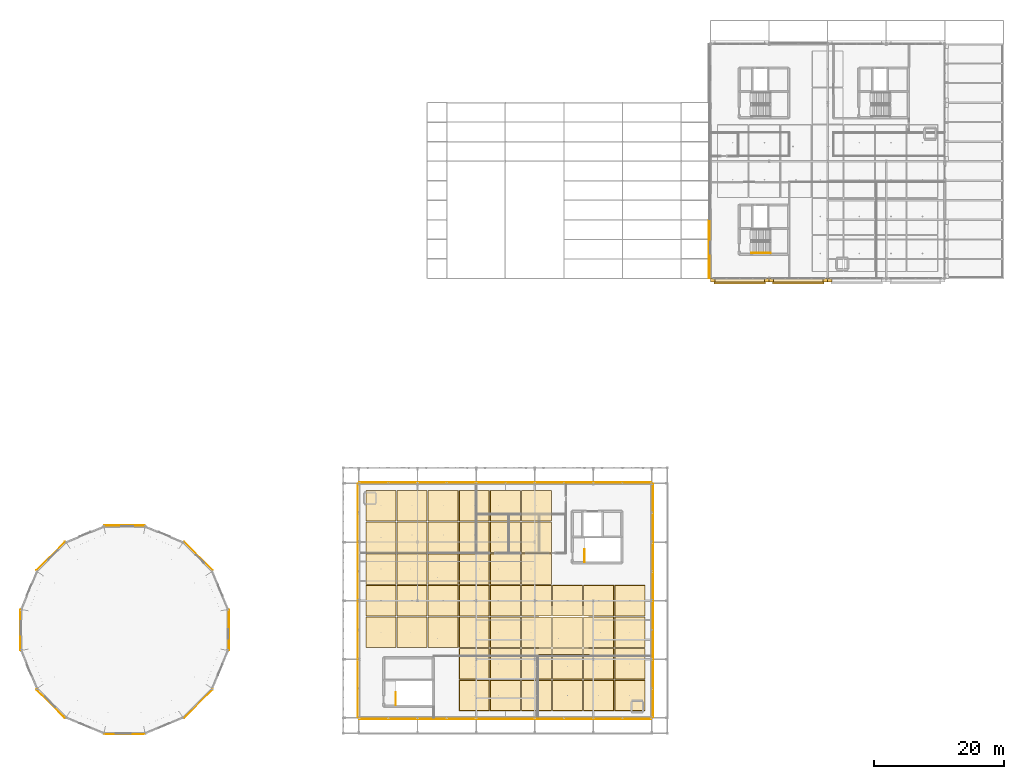
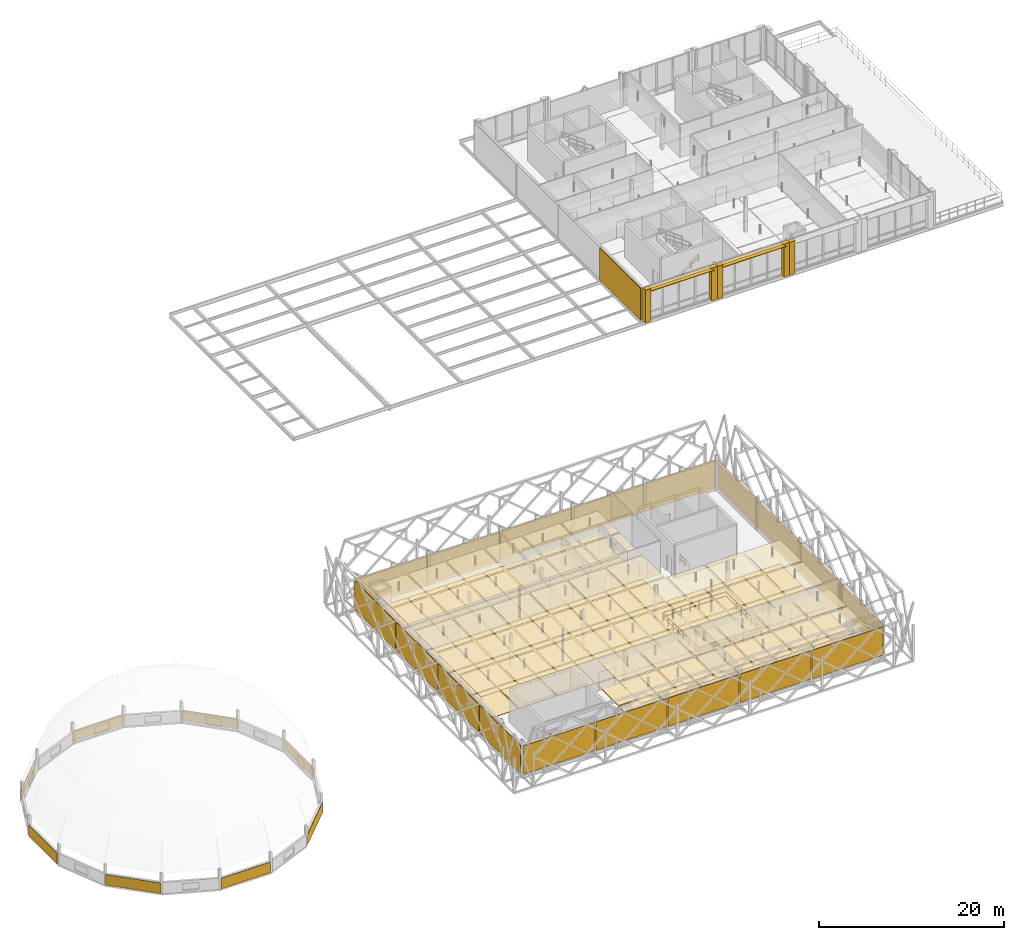
# One storey, part 64 of 66: 130 coverings, 4 railings, 2 shading devices.
"""IFC4 building model written with IfcOpenShell, lengths in metres."""

from ifc_helpers import new_model, si_unit, direction, frame, origin, origin_2d, place, context, subcontext, project, spatial, rectangle, circle, extrude, material, layer, layer_set, type_object, element, save


model = new_model("IFC4")

# Units and contexts
model_context = context("Model", 3, precision=1e-05, world=origin(), true_north=direction((0.0, 1.0)))
body_context = subcontext(model_context, "Body", "Model", "MODEL_VIEW")
ifc_project = project(units=[si_unit("LENGTHUNIT", "METRE"), si_unit("AREAUNIT", "SQUARE_METRE"), si_unit("VOLUMEUNIT", "CUBIC_METRE"), si_unit("PLANEANGLEUNIT", "RADIAN"), si_unit("MASSUNIT", "GRAM", prefix="KILO"), si_unit("THERMODYNAMICTEMPERATUREUNIT", "KELVIN"), si_unit("POWERUNIT", "WATT")], contexts=[model_context])

# Site, building, storey
site_placement = place(None, origin())
site = spatial("IfcSite", under=ifc_project, at=site_placement, CompositionType="ELEMENT")
building_placement = place(site_placement, origin())
building = spatial("IfcBuilding", under=site, at=building_placement, Name="Tallowbark Science Centre", CompositionType="ELEMENT")
storey_placement = place(building_placement, frame((0.0, 0.0, 18.89990234375)))
storey = spatial("IfcBuildingStorey", under=building, at=storey_placement, Name="L04", CompositionType="ELEMENT", Elevation=18.89990234375)

# Coverings
ifc_material_1 = material(Name="Perforated Spotted Gum Acoustic Baffle Ceiling", Category="wood")
ifc_layer_1 = layer(ifc_material_1, 0.02490234375)
ifc_layer_set_1 = layer_set([ifc_layer_1], Name="Perforated Spotted Gum Acoustic Baffle Ceiling")
covering_type_1 = type_object("IfcCoveringType", Name="CLG-TIM-25", PredefinedType="CEILING", material=ifc_layer_set_1)
for number, where, z_axis, x_axis, name in (
    (1, (61.888916015625, 17.642822265625, 3.187744140625), (0.0, 0.0, 1.0), (1.0, 0.0, 0.0), "Suspended Ceiling L04-1068"),
    (2, (61.888916015625, 22.5, 3.187744140625), (0.0, 0.0, 1.0), (1.0, 0.0, 0.0), "Suspended Ceiling L04-1069"),
    (3, (61.888916015625, 27.357177734375, 3.187744140625), (0.0, 0.0, 1.0), (1.0, 0.0, 0.0), "Suspended Ceiling L04-1070"),
    (4, (61.888916015625, 32.21435546875, 3.187744140625), (0.0, 0.0, 1.0), (1.0, 0.0, 0.0), "Suspended Ceiling L04-1071"),
    (5, (61.888916015625, 37.0712890625, 3.187744140625), (0.0, 0.0, 1.0), (1.0, 0.0, 0.0), "Suspended Ceiling L04-1072"),
    (6, (66.666748046875, 17.642822265625, 3.187744140625), (0.0, 0.0, 1.0), (1.0, 0.0, 0.0), "Suspended Ceiling L04-1073"),
    (7, (66.666748046875, 22.5, 3.187744140625), (0.0, 0.0, 1.0), (1.0, 0.0, 0.0), "Suspended Ceiling L04-1074"),
    (8, (66.666748046875, 27.357177734375, 3.187744140625), (0.0, 0.0, 1.0), (1.0, 0.0, 0.0), "Suspended Ceiling L04-1075"),
    (9, (66.666748046875, 32.21435546875, 3.187744140625), (0.0, 0.0, 1.0), (1.0, 0.0, 0.0), "Suspended Ceiling L04-1076"),
    (10, (66.666748046875, 37.0712890625, 3.187744140625), (0.0, 0.0, 1.0), (1.0, 0.0, 0.0), "Suspended Ceiling L04-1077"),
    (11, (71.4443359375, 17.642822265625, 3.187744140625), (0.0, 0.0, 1.0), (1.0, 0.0, 0.0), "Suspended Ceiling L04-1078"),
    (12, (71.4443359375, 22.5, 3.187744140625), (0.0, 0.0, 1.0), (1.0, 0.0, 0.0), "Suspended Ceiling L04-1079"),
    (13, (71.4443359375, 27.357177734375, 3.187744140625), (0.0, 0.0, 1.0), (1.0, 0.0, 0.0), "Suspended Ceiling L04-1080"),
    (14, (71.4443359375, 32.21435546875, 3.187744140625), (0.0, 0.0, 1.0), (1.0, 0.0, 0.0), "Suspended Ceiling L04-1081"),
    (15, (71.4443359375, 37.0712890625, 3.187744140625), (0.0, 0.0, 1.0), (1.0, 0.0, 0.0), "Suspended Ceiling L04-1082"),
    (16, (76.22216796875, 7.9287109375, 3.187744140625), (0.0, 0.0, 1.0), (1.0, 0.0, 0.0), "Suspended Ceiling L04-1083"),
    (17, (76.22216796875, 12.78564453125, 3.187744140625), (0.0, 0.0, 1.0), (1.0, 0.0, 0.0), "Suspended Ceiling L04-1084"),
    (18, (76.22216796875, 17.642822265625, 3.187744140625), (0.0, 0.0, 1.0), (1.0, 0.0, 0.0), "Suspended Ceiling L04-1085"),
    (19, (76.22216796875, 22.5, 3.187744140625), (0.0, 0.0, 1.0), (1.0, 0.0, 0.0), "Suspended Ceiling L04-1086"),
    (20, (76.22216796875, 27.357177734375, 3.187744140625), (0.0, 0.0, 1.0), (1.0, 0.0, 0.0), "Suspended Ceiling L04-1087"),
    (21, (76.22216796875, 32.21435546875, 3.187744140625), (0.0, 0.0, 1.0), (1.0, 0.0, 0.0), "Suspended Ceiling L04-1088"),
    (22, (76.22216796875, 37.0712890625, 3.187744140625), (0.0, 0.0, 1.0), (1.0, 0.0, 0.0), "Suspended Ceiling L04-1089"),
    (23, (81.0, 7.9287109375, 3.187744140625), (0.0, 0.0, 1.0), (1.0, 0.0, 0.0), "Suspended Ceiling L04-1090"),
    (24, (81.0, 12.78564453125, 3.187744140625), (0.0, 0.0, 1.0), (1.0, 0.0, 0.0), "Suspended Ceiling L04-1091"),
    (25, (81.0, 17.642822265625, 3.187744140625), (0.0, 0.0, 1.0), (1.0, 0.0, 0.0), "Suspended Ceiling L04-1092"),
    (26, (81.0, 22.5, 3.187744140625), (0.0, 0.0, 1.0), (1.0, 0.0, 0.0), "Suspended Ceiling L04-1093"),
    (27, (81.0, 27.357177734375, 3.187744140625), (0.0, 0.0, 1.0), (1.0, 0.0, 0.0), "Suspended Ceiling L04-1094"),
    (28, (81.0, 32.21435546875, 3.187744140625), (0.0, 0.0, 1.0), (1.0, 0.0, 0.0), "Suspended Ceiling L04-1095"),
    (29, (81.0, 37.0712890625, 3.187744140625), (0.0, 0.0, 1.0), (1.0, 0.0, 0.0), "Suspended Ceiling L04-1096"),
    (30, (85.77783203125, 7.9287109375, 3.187744140625), (0.0, 0.0, 1.0), (1.0, 0.0, 0.0), "Suspended Ceiling L04-1097"),
    (31, (85.77783203125, 12.78564453125, 3.187744140625), (0.0, 0.0, 1.0), (1.0, 0.0, 0.0), "Suspended Ceiling L04-1098"),
    (32, (85.77783203125, 17.642822265625, 3.187744140625), (0.0, 0.0, 1.0), (1.0, 0.0, 0.0), "Suspended Ceiling L04-1099"),
    (33, (85.77783203125, 22.5, 3.187744140625), (0.0, 0.0, 1.0), (1.0, 0.0, 0.0), "Suspended Ceiling L04-1100"),
    (34, (85.77783203125, 27.357177734375, 3.187744140625), (0.0, 0.0, 1.0), (1.0, 0.0, 0.0), "Suspended Ceiling L04-1101"),
    (35, (85.77783203125, 32.21435546875, 3.187744140625), (0.0, 0.0, 1.0), (1.0, 0.0, 0.0), "Suspended Ceiling L04-1102"),
    (36, (85.77783203125, 37.0712890625, 3.187744140625), (0.0, 0.0, 1.0), (1.0, 0.0, 0.0), "Suspended Ceiling L04-1103"),
    (37, (90.5556640625, 7.9287109375, 3.187744140625), (0.0, 0.0, 1.0), (1.0, 0.0, 0.0), "Suspended Ceiling L04-1104"),
    (38, (90.5556640625, 12.78564453125, 3.187744140625), (0.0, 0.0, 1.0), (1.0, 0.0, 0.0), "Suspended Ceiling L04-1105"),
    (39, (90.5556640625, 17.642822265625, 3.187744140625), (0.0, 0.0, 1.0), (1.0, 0.0, 0.0), "Suspended Ceiling L04-1106"),
    (40, (90.5556640625, 22.5, 3.187744140625), (0.0, 0.0, 1.0), (1.0, 0.0, 0.0), "Suspended Ceiling L04-1107"),
    (41, (95.333251953125, 7.9287109375, 3.187744140625), (0.0, 0.0, 1.0), (1.0, 0.0, 0.0), "Suspended Ceiling L04-1108"),
    (42, (95.333251953125, 12.78564453125, 3.187744140625), (0.0, 0.0, 1.0), (1.0, 0.0, 0.0), "Suspended Ceiling L04-1109"),
    (43, (95.333251953125, 17.642822265625, 3.187744140625), (0.0, 0.0, 1.0), (1.0, 0.0, 0.0), "Suspended Ceiling L04-1110"),
    (44, (95.333251953125, 22.5, 3.187744140625), (0.0, 0.0, 1.0), (1.0, 0.0, 0.0), "Suspended Ceiling L04-1111"),
    (45, (100.111083984375, 7.9287109375, 3.187744140625), (0.0, 0.0, 1.0), (1.0, 0.0, 0.0), "Suspended Ceiling L04-1112"),
    (46, (100.111083984375, 12.78564453125, 3.187744140625), (0.0, 0.0, 1.0), (1.0, 0.0, 0.0), "Suspended Ceiling L04-1113"),
    (47, (100.111083984375, 17.642822265625, 3.187744140625), (0.0, 0.0, 1.0), (1.0, 0.0, 0.0), "Suspended Ceiling L04-1114"),
    (48, (100.111083984375, 22.5, 3.187744140625), (0.0, 0.0, 1.0), (1.0, 0.0, 0.0), "Suspended Ceiling L04-1115"),
):
    element("IfcCovering", number, at=place(storey_placement, frame(where, z_axis=z_axis, x_axis=x_axis)), inside=storey, type_object=covering_type_1, Name=name, PredefinedType="CEILING", context=body_context, shape_type="SweptSolid", body=[
        extrude(rectangle(XDim=4.597900390625, YDim=4.677001953125, at=origin_2d()), origin(), (0.0, 0.0, 1.0), 0.02490234375),
    ])
ifc_material_2 = material(Name="White Architectural Precast Concrete Grade N40 (40 MPa)", Category="concrete")
ifc_layer_2 = layer(ifc_material_2, 0.1201171875)
ifc_layer_set_2 = layer_set([ifc_layer_2], Name="White Architectural Precast Concrete Grade N40 (40 MPa)")
covering_type_2 = type_object("IfcCoveringType", Name="COV-PRC-CLAD", PredefinedType="CLADDING", material=ifc_layer_set_2)
for number, where, z_axis, x_axis, name in (
    (49, (112.85498046875, 71.719970703125, 0.0), (0.0, 0.0, 1.0), (1.0, 0.0, 0.0), "Postmodern Deep Precast Pier CW-L04-190-1"),
    (50, (121.14501953125, 71.719970703125, 0.0), (0.0, 0.0, 1.0), (1.0, 0.0, 0.0), "Postmodern Deep Precast Pier CW-L04-190-2"),
    (51, (121.85498046875, 71.719970703125, 0.0), (0.0, 0.0, 1.0), (1.0, 0.0, 0.0), "Postmodern Deep Precast Pier CW-L04-192-1"),
    (52, (130.14501953125, 71.719970703125, 0.0), (0.0, 0.0, 1.0), (1.0, 0.0, 0.0), "Postmodern Deep Precast Pier CW-L04-192-2"),
    (53, (130.85498046875, 71.719970703125, 0.0), (0.0, 0.0, 1.0), (1.0, 0.0, 0.0), "Postmodern Deep Precast Pier CW-L04-193-1"),
):
    element("IfcCovering", number, at=place(storey_placement, frame(where, z_axis=z_axis, x_axis=x_axis)), inside=storey, type_object=covering_type_2, Name=name, PredefinedType="CLADDING", context=body_context, shape_type="SweptSolid", body=[
        extrude(rectangle(XDim=0.7099609375, YDim=0.56005859375, at=origin_2d()), origin(), (0.0, 0.0, 1.0), 4.320068359375),
    ])
covering_placement = place(storey_placement, frame((112.31494140625, 76.5, 0.05029296875), z_axis=(0.0, 0.0, 1.0), x_axis=(0.0, -1.0, 0.0)))
element("IfcCovering", 54, at=covering_placement, inside=storey, type_object=covering_type_2, Name="Architectural Rainscreen OBS4-W-72", PredefinedType="CLADDING", context=body_context, shape_type="SweptSolid", body=[
    extrude(rectangle(XDim=8.8798828125, YDim=0.1201171875, at=origin_2d()), origin(), (0.0, 0.0, 1.0), 4.219970703125),
])
ifc_material_3 = material(Name="Vitrified Ochre Terracotta Architectural Rainscreen", Category="masonry")
ifc_layer_3 = layer(ifc_material_3, 0.0380859375)
ifc_layer_set_3 = layer_set([ifc_layer_3], Name="Vitrified Ochre Terracotta Architectural Rainscreen")
covering_type_3 = type_object("IfcCoveringType", Name="COV-TER-CLAD", PredefinedType="CLADDING", material=ifc_layer_set_3)
for number, where, z_axis, x_axis, name in (
    (55, (33.842041015625, 29.342041015625, 0.050048828125), (0.0, 0.0, 1.0), (-0.707106781187, 0.707106781187, 0.0), "Architectural Rainscreen DRM-UP-L04-01"),
    (56, (22.5, 34.040283203125, 0.050048828125), (0.0, 0.0, 1.0), (-1.0, 0.0, 0.0), "Architectural Rainscreen DRM-UP-L04-03"),
    (57, (11.157958984375, 29.342041015625, 0.050048828125), (0.0, 0.0, 1.0), (-0.707106781187, -0.707106781187, 0.0), "Architectural Rainscreen DRM-UP-L04-05"),
    (58, (6.459716796875, 18.0, 0.050048828125), (0.0, 0.0, 1.0), (0.0, -1.0, 0.0), "Architectural Rainscreen DRM-UP-L04-07"),
    (59, (11.157958984375, 6.657958984375, 0.050048828125), (0.0, 0.0, 1.0), (0.707106781187, -0.707106781187, 0.0), "Architectural Rainscreen DRM-UP-L04-09"),
    (60, (22.5, 1.959716796875, 0.050048828125), (0.0, 0.0, 1.0), (1.0, 0.0, 0.0), "Architectural Rainscreen DRM-UP-L04-11"),
    (61, (33.842041015625, 6.657958984375, 0.050048828125), (0.0, 0.0, 1.0), (0.707106781187, 0.707106781187, 0.0), "Architectural Rainscreen DRM-UP-L04-13"),
    (62, (38.540283203125, 18.0, 0.050048828125), (0.0, 0.0, 1.0), (0.0, 1.0, 0.0), "Architectural Rainscreen DRM-UP-L04-15"),
):
    element("IfcCovering", number, at=place(storey_placement, frame(where, z_axis=z_axis, x_axis=x_axis)), inside=storey, type_object=covering_type_3, Name=name, PredefinedType="CLADDING", context=body_context, shape_type="SweptSolid", body=[
        extrude(rectangle(XDim=6.200927734375, YDim=0.0380859375, at=origin_2d()), origin(), (0.0, 0.0, 1.0), 1.3798828125),
    ])
for number, where, z_axis, x_axis, name in (
    (63, (117.0, 71.739990234375, 3.97021484375), (0.0, 0.0, 1.0), (1.0, 0.0, 0.0), "Postmodern Terracotta Cornice Band CW-L04-190"),
    (64, (126.0, 71.739990234375, 3.97021484375), (0.0, 0.0, 1.0), (1.0, 0.0, 0.0), "Postmodern Terracotta Cornice Band CW-L04-192"),
):
    element("IfcCovering", number, at=place(storey_placement, frame(where, z_axis=z_axis, x_axis=x_axis)), inside=storey, type_object=covering_type_3, Name=name, PredefinedType="CLADDING", context=body_context, shape_type="SweptSolid", body=[
        extrude(rectangle(XDim=8.5, YDim=0.52001953125, at=origin_2d()), origin(), (0.0, 0.0, 1.0), 0.340087890625),
    ])
ifc_material_4 = material(Name="Spotted Gum Hardwood Architectural Rainscreen", Category="wood")
ifc_layer_4 = layer(ifc_material_4, 0.0419921875)
ifc_layer_set_4 = layer_set([ifc_layer_4], Name="Spotted Gum Hardwood Architectural Rainscreen")
covering_type_4 = type_object("IfcCoveringType", Name="COV-TIM-CLAD", PredefinedType="CLADDING", material=ifc_layer_set_4)
for number, where, z_axis, x_axis, name in (
    (65, (63.0, 4.33154296875, 0.050048828125), (0.0, 0.0, 1.0), (1.0, 0.0, 0.0), "Architectural Rainscreen CUB-S-L04-0"),
    (66, (63.0, 40.66845703125, 0.050048828125), (0.0, 0.0, 1.0), (-1.0, 0.0, 0.0), "Architectural Rainscreen CUB-N-L04-0"),
    (67, (72.0, 4.33154296875, 0.050048828125), (0.0, 0.0, 1.0), (1.0, 0.0, 0.0), "Architectural Rainscreen CUB-S-L04-1"),
    (68, (72.0, 40.66845703125, 0.050048828125), (0.0, 0.0, 1.0), (-1.0, 0.0, 0.0), "Architectural Rainscreen CUB-N-L04-1"),
    (69, (81.0, 4.33154296875, 0.050048828125), (0.0, 0.0, 1.0), (1.0, 0.0, 0.0), "Architectural Rainscreen CUB-S-L04-2"),
    (70, (81.0, 40.66845703125, 0.050048828125), (0.0, 0.0, 1.0), (-1.0, 0.0, 0.0), "Architectural Rainscreen CUB-N-L04-2"),
    (71, (90.0, 4.33154296875, 0.050048828125), (0.0, 0.0, 1.0), (1.0, 0.0, 0.0), "Architectural Rainscreen CUB-S-L04-3"),
    (72, (90.0, 40.66845703125, 0.050048828125), (0.0, 0.0, 1.0), (-1.0, 0.0, 0.0), "Architectural Rainscreen CUB-N-L04-3"),
    (73, (99.0, 4.33154296875, 0.050048828125), (0.0, 0.0, 1.0), (1.0, 0.0, 0.0), "Architectural Rainscreen CUB-S-L04-4"),
    (74, (99.0, 40.66845703125, 0.050048828125), (0.0, 0.0, 1.0), (-1.0, 0.0, 0.0), "Architectural Rainscreen CUB-N-L04-4"),
    (75, (58.33154296875, 9.0, 0.050048828125), (0.0, 0.0, 1.0), (0.0, -1.0, 0.0), "Architectural Rainscreen CUB-W-L04-0"),
    (76, (103.66845703125, 9.0, 0.050048828125), (0.0, 0.0, 1.0), (0.0, 1.0, 0.0), "Architectural Rainscreen CUB-E-L04-0"),
    (77, (58.33154296875, 18.0, 0.050048828125), (0.0, 0.0, 1.0), (0.0, -1.0, 0.0), "Architectural Rainscreen CUB-W-L04-1"),
    (78, (103.66845703125, 18.0, 0.050048828125), (0.0, 0.0, 1.0), (0.0, 1.0, 0.0), "Architectural Rainscreen CUB-E-L04-1"),
    (79, (58.33154296875, 27.0, 0.050048828125), (0.0, 0.0, 1.0), (0.0, -1.0, 0.0), "Architectural Rainscreen CUB-W-L04-2"),
    (80, (103.66845703125, 27.0, 0.050048828125), (0.0, 0.0, 1.0), (0.0, 1.0, 0.0), "Architectural Rainscreen CUB-E-L04-2"),
    (81, (58.33154296875, 36.0, 0.050048828125), (0.0, 0.0, 1.0), (0.0, -1.0, 0.0), "Architectural Rainscreen CUB-W-L04-3"),
    (82, (103.66845703125, 36.0, 0.050048828125), (0.0, 0.0, 1.0), (0.0, 1.0, 0.0), "Architectural Rainscreen CUB-E-L04-3"),
):
    element("IfcCovering", number, at=place(storey_placement, frame(where, z_axis=z_axis, x_axis=x_axis)), inside=storey, type_object=covering_type_4, Name=name, PredefinedType="CLADDING", context=body_context, shape_type="SweptSolid", body=[
        extrude(rectangle(XDim=8.8798828125, YDim=0.0419921875, at=origin_2d()), origin(), (0.0, 0.0, 1.0), 3.74609375),
    ])
ifc_material_5 = material(Name="Engineered Blackbutt Gallery Timber Flooring", Category="wood")
ifc_layer_5 = layer(ifc_material_5, 0.02197265625)
ifc_layer_set_5 = layer_set([ifc_layer_5], Name="Engineered Blackbutt Gallery Timber Flooring")
covering_type_5 = type_object("IfcCoveringType", Name="FLR-TIM-22", PredefinedType="FLOORING", material=ifc_layer_set_5)
for number, where, z_axis, x_axis, name in (
    (83, (61.888916015625, 17.642822265625, 0.0), (0.0, 0.0, 1.0), (1.0, 0.0, 0.0), "Floor Finish L04-1068"),
    (84, (61.888916015625, 22.5, 0.0), (0.0, 0.0, 1.0), (1.0, 0.0, 0.0), "Floor Finish L04-1069"),
    (85, (61.888916015625, 27.357177734375, 0.0), (0.0, 0.0, 1.0), (1.0, 0.0, 0.0), "Floor Finish L04-1070"),
    (86, (61.888916015625, 32.21435546875, 0.0), (0.0, 0.0, 1.0), (1.0, 0.0, 0.0), "Floor Finish L04-1071"),
    (87, (61.888916015625, 37.0712890625, 0.0), (0.0, 0.0, 1.0), (1.0, 0.0, 0.0), "Floor Finish L04-1072"),
    (88, (66.666748046875, 17.642822265625, 0.0), (0.0, 0.0, 1.0), (1.0, 0.0, 0.0), "Floor Finish L04-1073"),
    (89, (66.666748046875, 22.5, 0.0), (0.0, 0.0, 1.0), (1.0, 0.0, 0.0), "Floor Finish L04-1074"),
    (90, (66.666748046875, 27.357177734375, 0.0), (0.0, 0.0, 1.0), (1.0, 0.0, 0.0), "Floor Finish L04-1075"),
    (91, (66.666748046875, 32.21435546875, 0.0), (0.0, 0.0, 1.0), (1.0, 0.0, 0.0), "Floor Finish L04-1076"),
    (92, (66.666748046875, 37.0712890625, 0.0), (0.0, 0.0, 1.0), (1.0, 0.0, 0.0), "Floor Finish L04-1077"),
    (93, (71.4443359375, 17.642822265625, 0.0), (0.0, 0.0, 1.0), (1.0, 0.0, 0.0), "Floor Finish L04-1078"),
    (94, (71.4443359375, 22.5, 0.0), (0.0, 0.0, 1.0), (1.0, 0.0, 0.0), "Floor Finish L04-1079"),
    (95, (71.4443359375, 27.357177734375, 0.0), (0.0, 0.0, 1.0), (1.0, 0.0, 0.0), "Floor Finish L04-1080"),
    (96, (71.4443359375, 32.21435546875, 0.0), (0.0, 0.0, 1.0), (1.0, 0.0, 0.0), "Floor Finish L04-1081"),
    (97, (71.4443359375, 37.0712890625, 0.0), (0.0, 0.0, 1.0), (1.0, 0.0, 0.0), "Floor Finish L04-1082"),
    (98, (76.22216796875, 7.9287109375, 0.0), (0.0, 0.0, 1.0), (1.0, 0.0, 0.0), "Floor Finish L04-1083"),
    (99, (76.22216796875, 12.78564453125, 0.0), (0.0, 0.0, 1.0), (1.0, 0.0, 0.0), "Floor Finish L04-1084"),
    (100, (76.22216796875, 17.642822265625, 0.0), (0.0, 0.0, 1.0), (1.0, 0.0, 0.0), "Floor Finish L04-1085"),
    (101, (76.22216796875, 22.5, 0.0), (0.0, 0.0, 1.0), (1.0, 0.0, 0.0), "Floor Finish L04-1086"),
    (102, (76.22216796875, 27.357177734375, 0.0), (0.0, 0.0, 1.0), (1.0, 0.0, 0.0), "Floor Finish L04-1087"),
    (103, (76.22216796875, 32.21435546875, 0.0), (0.0, 0.0, 1.0), (1.0, 0.0, 0.0), "Floor Finish L04-1088"),
    (104, (76.22216796875, 37.0712890625, 0.0), (0.0, 0.0, 1.0), (1.0, 0.0, 0.0), "Floor Finish L04-1089"),
    (105, (81.0, 7.9287109375, 0.0), (0.0, 0.0, 1.0), (1.0, 0.0, 0.0), "Floor Finish L04-1090"),
    (106, (81.0, 12.78564453125, 0.0), (0.0, 0.0, 1.0), (1.0, 0.0, 0.0), "Floor Finish L04-1091"),
    (107, (81.0, 17.642822265625, 0.0), (0.0, 0.0, 1.0), (1.0, 0.0, 0.0), "Floor Finish L04-1092"),
    (108, (81.0, 22.5, 0.0), (0.0, 0.0, 1.0), (1.0, 0.0, 0.0), "Floor Finish L04-1093"),
    (109, (81.0, 27.357177734375, 0.0), (0.0, 0.0, 1.0), (1.0, 0.0, 0.0), "Floor Finish L04-1094"),
    (110, (81.0, 32.21435546875, 0.0), (0.0, 0.0, 1.0), (1.0, 0.0, 0.0), "Floor Finish L04-1095"),
    (111, (81.0, 37.0712890625, 0.0), (0.0, 0.0, 1.0), (1.0, 0.0, 0.0), "Floor Finish L04-1096"),
    (112, (85.77783203125, 7.9287109375, 0.0), (0.0, 0.0, 1.0), (1.0, 0.0, 0.0), "Floor Finish L04-1097"),
    (113, (85.77783203125, 12.78564453125, 0.0), (0.0, 0.0, 1.0), (1.0, 0.0, 0.0), "Floor Finish L04-1098"),
    (114, (85.77783203125, 17.642822265625, 0.0), (0.0, 0.0, 1.0), (1.0, 0.0, 0.0), "Floor Finish L04-1099"),
    (115, (85.77783203125, 22.5, 0.0), (0.0, 0.0, 1.0), (1.0, 0.0, 0.0), "Floor Finish L04-1100"),
    (116, (85.77783203125, 27.357177734375, 0.0), (0.0, 0.0, 1.0), (1.0, 0.0, 0.0), "Floor Finish L04-1101"),
    (117, (85.77783203125, 32.21435546875, 0.0), (0.0, 0.0, 1.0), (1.0, 0.0, 0.0), "Floor Finish L04-1102"),
    (118, (85.77783203125, 37.0712890625, 0.0), (0.0, 0.0, 1.0), (1.0, 0.0, 0.0), "Floor Finish L04-1103"),
    (119, (90.5556640625, 7.9287109375, 0.0), (0.0, 0.0, 1.0), (1.0, 0.0, 0.0), "Floor Finish L04-1104"),
    (120, (90.5556640625, 12.78564453125, 0.0), (0.0, 0.0, 1.0), (1.0, 0.0, 0.0), "Floor Finish L04-1105"),
    (121, (90.5556640625, 17.642822265625, 0.0), (0.0, 0.0, 1.0), (1.0, 0.0, 0.0), "Floor Finish L04-1106"),
    (122, (90.5556640625, 22.5, 0.0), (0.0, 0.0, 1.0), (1.0, 0.0, 0.0), "Floor Finish L04-1107"),
    (123, (95.333251953125, 7.9287109375, 0.0), (0.0, 0.0, 1.0), (1.0, 0.0, 0.0), "Floor Finish L04-1108"),
    (124, (95.333251953125, 12.78564453125, 0.0), (0.0, 0.0, 1.0), (1.0, 0.0, 0.0), "Floor Finish L04-1109"),
    (125, (95.333251953125, 17.642822265625, 0.0), (0.0, 0.0, 1.0), (1.0, 0.0, 0.0), "Floor Finish L04-1110"),
    (126, (95.333251953125, 22.5, 0.0), (0.0, 0.0, 1.0), (1.0, 0.0, 0.0), "Floor Finish L04-1111"),
    (127, (100.111083984375, 7.9287109375, 0.0), (0.0, 0.0, 1.0), (1.0, 0.0, 0.0), "Floor Finish L04-1112"),
    (128, (100.111083984375, 12.78564453125, 0.0), (0.0, 0.0, 1.0), (1.0, 0.0, 0.0), "Floor Finish L04-1113"),
    (129, (100.111083984375, 17.642822265625, 0.0), (0.0, 0.0, 1.0), (1.0, 0.0, 0.0), "Floor Finish L04-1114"),
    (130, (100.111083984375, 22.5, 0.0), (0.0, 0.0, 1.0), (1.0, 0.0, 0.0), "Floor Finish L04-1115"),
):
    element("IfcCovering", number, at=place(storey_placement, frame(where, z_axis=z_axis, x_axis=x_axis)), inside=storey, type_object=covering_type_5, Name=name, PredefinedType="FLOORING", context=body_context, shape_type="SweptSolid", body=[
        extrude(rectangle(XDim=4.65771484375, YDim=4.737060546875, at=origin_2d()), origin(), (0.0, 0.0, 1.0), 0.02197265625),
    ])

# Railings
ifc_material_6 = material(Name="Galvanised Painted Steel and Laminated Glass Balustrade", Category="steel")
ifc_layer_6 = layer(ifc_material_6, 0.070068359375)
ifc_layer_set_6 = layer_set([ifc_layer_6], Name="Galvanised Painted Steel and Laminated Glass Balustrade")
railing_type_1 = type_object("IfcRailingType", Name="RLG-BAL-1150", PredefinedType="BALUSTRADE", material=ifc_layer_set_6)
railing_1_placement = place(storey_placement, frame((86.080078125, 14.179931640625, 0.0)))
element("IfcRailing", 131, at=railing_1_placement, inside=storey, type_object=railing_type_1, Name="Guardrail GD-ATR-L04", PredefinedType="BALUSTRADE", context=body_context, shape_type="SweptSolid", body=[
    extrude(circle(Radius=0.02392578125, at=origin_2d()), frame((0.0, 0.0, 1.1259765625), z_axis=(1.0, 0.0, 0.0), x_axis=(0.0, 1.0, 0.0)), (0.0, 0.0, 1.0), 7.83984375),
    extrude(circle(Radius=0.02392578125, at=origin_2d()), frame((0.0, 0.0, 0.574951171875), z_axis=(1.0, 0.0, 0.0), x_axis=(0.0, 1.0, 0.0)), (0.0, 0.0, 1.0), 7.83984375),
    extrude(circle(Radius=0.02392578125, at=origin_2d()), frame((7.83984375, 0.0, 1.1259765625), z_axis=(0.0, 1.0, 0.0), x_axis=(-1.0, 0.0, 0.0)), (0.0, 0.0, 1.0), 7.64013671875),
    extrude(circle(Radius=0.02392578125, at=origin_2d()), frame((7.83984375, 0.0, 0.574951171875), z_axis=(0.0, 1.0, 0.0), x_axis=(-1.0, 0.0, 0.0)), (0.0, 0.0, 1.0), 7.64013671875),
    extrude(circle(Radius=0.02392578125, at=origin_2d()), frame((7.83984375, 7.64013671875, 1.1259765625), z_axis=(-1.0, 0.0, 0.0), x_axis=(0.0, -1.0, 0.0)), (0.0, 0.0, 1.0), 7.83984375),
    extrude(circle(Radius=0.02392578125, at=origin_2d()), frame((7.83984375, 7.64013671875, 0.574951171875), z_axis=(-1.0, 0.0, 0.0), x_axis=(0.0, -1.0, 0.0)), (0.0, 0.0, 1.0), 7.83984375),
    extrude(circle(Radius=0.02392578125, at=origin_2d()), frame((0.0, 7.64013671875, 1.1259765625), z_axis=(0.0, -1.0, 0.0), x_axis=(1.0, 0.0, 0.0)), (0.0, 0.0, 1.0), 7.64013671875),
    extrude(circle(Radius=0.02392578125, at=origin_2d()), frame((0.0, 7.64013671875, 0.574951171875), z_axis=(0.0, -1.0, 0.0), x_axis=(1.0, 0.0, 0.0)), (0.0, 0.0, 1.0), 7.64013671875),
    extrude(circle(Radius=0.02099609375, at=origin_2d()), origin(), (0.0, 0.0, 1.0), 1.101806640625),
    extrude(circle(Radius=0.02099609375, at=origin_2d()), frame((1.119873046875, 0.0, 0.0)), (0.0, 0.0, 1.0), 1.101806640625),
    extrude(circle(Radius=0.02099609375, at=origin_2d()), frame((2.239990234375, 0.0, 0.0)), (0.0, 0.0, 1.0), 1.101806640625),
    extrude(circle(Radius=0.02099609375, at=origin_2d()), frame((3.35986328125, 0.0, 0.0)), (0.0, 0.0, 1.0), 1.101806640625),
    extrude(circle(Radius=0.02099609375, at=origin_2d()), frame((4.47998046875, 0.0, 0.0)), (0.0, 0.0, 1.0), 1.101806640625),
    extrude(circle(Radius=0.02099609375, at=origin_2d()), frame((5.599853515625, 0.0, 0.0)), (0.0, 0.0, 1.0), 1.101806640625),
    extrude(circle(Radius=0.02099609375, at=origin_2d()), frame((6.719970703125, 0.0, 0.0)), (0.0, 0.0, 1.0), 1.101806640625),
    extrude(circle(Radius=0.02099609375, at=origin_2d()), frame((7.83984375, 0.0, 0.0)), (0.0, 0.0, 1.0), 1.101806640625),
    extrude(circle(Radius=0.02099609375, at=origin_2d()), frame((7.83984375, 1.091552734375, 0.0)), (0.0, 0.0, 1.0), 1.101806640625),
    extrude(circle(Radius=0.02099609375, at=origin_2d()), frame((7.83984375, 2.182861328125, 0.0)), (0.0, 0.0, 1.0), 1.101806640625),
    extrude(circle(Radius=0.02099609375, at=origin_2d()), frame((7.83984375, 3.2744140625, 0.0)), (0.0, 0.0, 1.0), 1.101806640625),
    extrude(circle(Radius=0.02099609375, at=origin_2d()), frame((7.83984375, 4.36572265625, 0.0)), (0.0, 0.0, 1.0), 1.101806640625),
    extrude(circle(Radius=0.02099609375, at=origin_2d()), frame((7.83984375, 5.457275390625, 0.0)), (0.0, 0.0, 1.0), 1.101806640625),
    extrude(circle(Radius=0.02099609375, at=origin_2d()), frame((7.83984375, 6.548583984375, 0.0)), (0.0, 0.0, 1.0), 1.101806640625),
    extrude(circle(Radius=0.02099609375, at=origin_2d()), frame((7.83984375, 7.64013671875, 0.0)), (0.0, 0.0, 1.0), 1.101806640625),
    extrude(circle(Radius=0.02099609375, at=origin_2d()), frame((6.719970703125, 7.64013671875, 0.0)), (0.0, 0.0, 1.0), 1.101806640625),
    extrude(circle(Radius=0.02099609375, at=origin_2d()), frame((5.599853515625, 7.64013671875, 0.0)), (0.0, 0.0, 1.0), 1.101806640625),
    extrude(circle(Radius=0.02099609375, at=origin_2d()), frame((4.47998046875, 7.64013671875, 0.0)), (0.0, 0.0, 1.0), 1.101806640625),
    extrude(circle(Radius=0.02099609375, at=origin_2d()), frame((3.35986328125, 7.64013671875, 0.0)), (0.0, 0.0, 1.0), 1.101806640625),
    extrude(circle(Radius=0.02099609375, at=origin_2d()), frame((2.239990234375, 7.64013671875, 0.0)), (0.0, 0.0, 1.0), 1.101806640625),
    extrude(circle(Radius=0.02099609375, at=origin_2d()), frame((1.119873046875, 7.64013671875, 0.0)), (0.0, 0.0, 1.0), 1.101806640625),
    extrude(circle(Radius=0.02099609375, at=origin_2d()), frame((0.0, 7.64013671875, 0.0)), (0.0, 0.0, 1.0), 1.101806640625),
    extrude(circle(Radius=0.02099609375, at=origin_2d()), frame((0.0, 6.548583984375, 0.0)), (0.0, 0.0, 1.0), 1.101806640625),
    extrude(circle(Radius=0.02099609375, at=origin_2d()), frame((0.0, 5.457275390625, 0.0)), (0.0, 0.0, 1.0), 1.101806640625),
    extrude(circle(Radius=0.02099609375, at=origin_2d()), frame((0.0, 4.36572265625, 0.0)), (0.0, 0.0, 1.0), 1.101806640625),
    extrude(circle(Radius=0.02099609375, at=origin_2d()), frame((0.0, 3.2744140625, 0.0)), (0.0, 0.0, 1.0), 1.101806640625),
    extrude(circle(Radius=0.02099609375, at=origin_2d()), frame((0.0, 2.182861328125, 0.0)), (0.0, 0.0, 1.0), 1.101806640625),
    extrude(circle(Radius=0.02099609375, at=origin_2d()), frame((0.0, 1.091552734375, 0.0)), (0.0, 0.0, 1.0), 1.101806640625),
])
for number, where, name in (
    (132, (93.159912109375, 28.449951171875, 0.0), "L04 ST-03 top well guard 1"),
    (133, (64.159912109375, 6.449951171875, 0.0), "L04 ST-07 top well guard 1"),
):
    element("IfcRailing", number, at=place(storey_placement, frame(where)), inside=storey, type_object=railing_type_1, Name=name, PredefinedType="BALUSTRADE", context=body_context, shape_type="SweptSolid", body=[
        extrude(circle(Radius=0.02392578125, at=origin_2d()), frame((0.0, 0.0, 1.076171875), z_axis=(0.0, 1.0, 0.0), x_axis=(-1.0, 0.0, 0.0)), (0.0, 0.0, 1.0), 1.9599609375),
        extrude(circle(Radius=0.02392578125, at=origin_2d()), frame((0.0, 0.0, 0.550048828125), z_axis=(0.0, 1.0, 0.0), x_axis=(-1.0, 0.0, 0.0)), (0.0, 0.0, 1.0), 1.9599609375),
        extrude(circle(Radius=0.02099609375, at=origin_2d()), origin(), (0.0, 0.0, 1.0), 1.052001953125),
        extrude(circle(Radius=0.02099609375, at=origin_2d()), frame((0.0, 0.97998046875, 0.0)), (0.0, 0.0, 1.0), 1.052001953125),
        extrude(circle(Radius=0.02099609375, at=origin_2d()), frame((0.0, 1.9599609375, 0.0)), (0.0, 0.0, 1.0), 1.052001953125),
    ])
ifc_material_7 = material(Name="Brushed Grade 316 Stainless Steel Handrail", Category="steel")
ifc_layer_7 = layer(ifc_material_7, 0.050048828125)
ifc_layer_set_7 = layer_set([ifc_layer_7], Name="Brushed Grade 316 Stainless Steel Handrail")
railing_type_2 = type_object("IfcRailingType", Name="RLG-HDR-950", PredefinedType="HANDRAIL", material=ifc_layer_set_7)
railing_2_placement = place(storey_placement, frame((118.81005859375, 75.89990234375, 0.1875)))
element("IfcRailing", 134, at=railing_2_placement, inside=storey, type_object=railing_type_2, Name="L04 ST-02 stair handrail 1", PredefinedType="HANDRAIL", context=body_context, shape_type="SweptSolid", body=[
    extrude(circle(Radius=0.02392578125, at=origin_2d()), frame((0.0, 0.0, 0.8759765625), z_axis=(0.816330724661, 0.0, 0.577584753931), x_axis=(0.0, 1.0, 0.0)), (0.0, 0.0, 1.0), 3.57080078125),
    extrude(circle(Radius=0.02392578125, at=origin_2d()), frame((0.0, 0.0, 0.449951171875), z_axis=(0.816330724661, 0.0, 0.577584753931), x_axis=(0.0, 1.0, 0.0)), (0.0, 0.0, 1.0), 3.57080078125),
    extrude(circle(Radius=0.02099609375, at=origin_2d()), origin(), (0.0, 0.0, 1.0), 0.851806640625),
    extrude(circle(Radius=0.02099609375, at=origin_2d()), frame((0.9716796875, 0.0, 0.6875)), (0.0, 0.0, 1.0), 0.851806640625),
    extrude(circle(Radius=0.02099609375, at=origin_2d()), frame((1.943359375, 0.0, 1.375)), (0.0, 0.0, 1.0), 0.851806640625),
    extrude(circle(Radius=0.02099609375, at=origin_2d()), frame((2.9150390625, 0.0, 2.0625)), (0.0, 0.0, 1.0), 0.851806640625),
])

# Shading devices
ifc_material_8 = material(Name="Terracotta-Anodised Extruded Aluminium Sunshade Blade", Category="masonry")
ifc_layer_8 = layer(ifc_material_8, 0.054931640625)
ifc_layer_set_8 = layer_set([ifc_layer_8], Name="Terracotta-Anodised Extruded Aluminium Sunshade Blade")
shading_device_type = type_object("IfcShadingDeviceType", Name="SHD-LVR-300", PredefinedType="AWNING", material=ifc_layer_set_8)
for number, where, z_axis, x_axis, name in (
    (135, (117.0, 71.580078125, 4.1328125), (0.0, 0.0, 1.0), (1.0, 0.0, 0.0), "Horizontal Solar Louvre Hood CW-L04-190"),
    (136, (126.0, 71.580078125, 4.1328125), (0.0, 0.0, 1.0), (1.0, 0.0, 0.0), "Horizontal Solar Louvre Hood CW-L04-192"),
):
    element("IfcShadingDevice", number, at=place(storey_placement, frame(where, z_axis=z_axis, x_axis=x_axis)), inside=storey, type_object=shading_device_type, Name=name, PredefinedType="AWNING", context=body_context, shape_type="SweptSolid", body=[
        extrude(rectangle(XDim=7.89990234375, YDim=0.840087890625, at=origin_2d()), origin(), (0.0, 0.0, 1.0), 0.054931640625),
    ])

save(model, "model.ifc")
